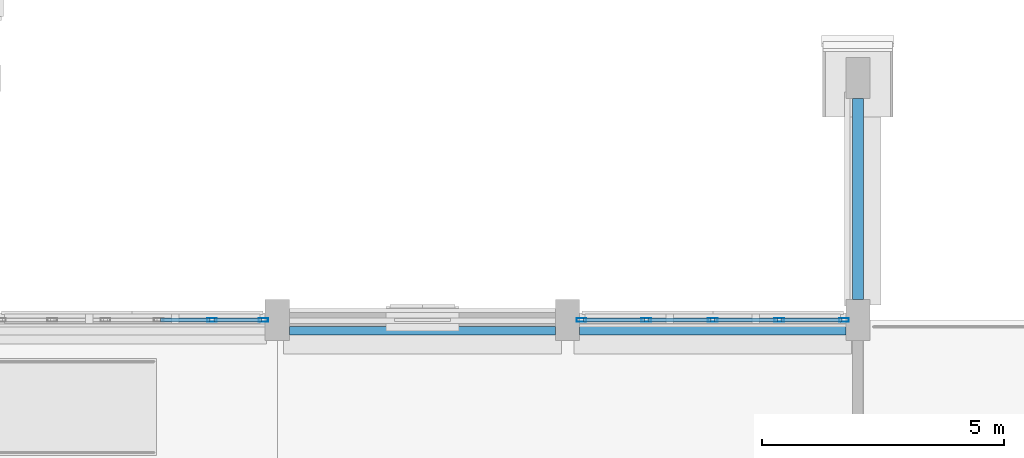
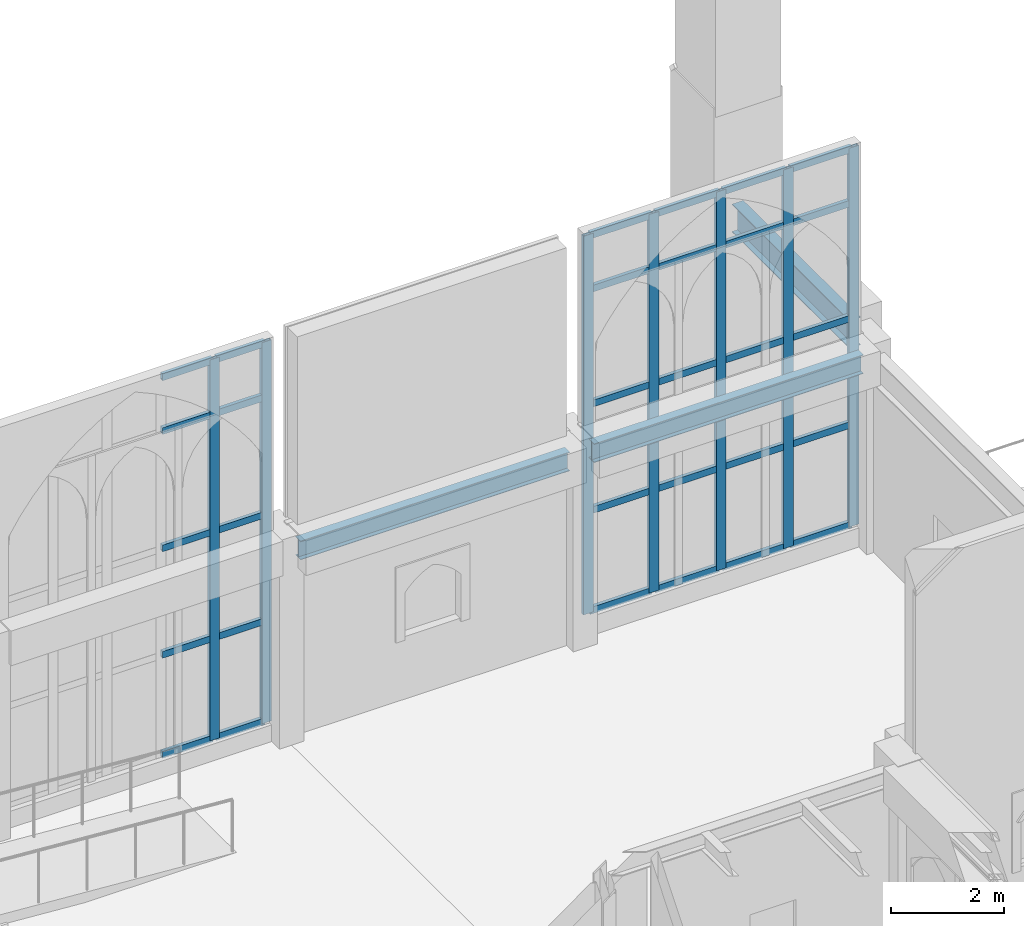
# One storey, part 43 of 108: 37 members, 3 beams, 2 elements without a shape of their own.
"""IFC4 building model written with IfcOpenShell, lengths in metres."""

from ifc_helpers import new_model, si_unit, direction, frame, origin, origin_2d, place, context, subcontext, project, spatial, hollow_rectangle, i_section, extrude, material, layer, layer_set, material_profile, profile_set, type_object, element, aggregate, save


model = new_model("IFC4")

# Units and contexts
model_context = context("Model", 3, precision=1e-05, world=origin(), true_north=direction((0.0, 1.0)))
body_context = subcontext(model_context, "Body", "Model", "MODEL_VIEW")
ifc_project = project(units=[si_unit("LENGTHUNIT", "METRE"), si_unit("AREAUNIT", "SQUARE_METRE"), si_unit("VOLUMEUNIT", "CUBIC_METRE"), si_unit("PLANEANGLEUNIT", "RADIAN"), si_unit("MASSUNIT", "GRAM", prefix="KILO")], contexts=[model_context])

# Site, building, storey
site_placement = place(None, origin())
site = spatial("IfcSite", under=ifc_project, at=site_placement, CompositionType="ELEMENT")
building_placement = place(site_placement, origin())
building = spatial("IfcBuilding", under=site, at=building_placement, Name="Cumevento Cable Car Station", CompositionType="ELEMENT")
storey_placement = place(building_placement, frame((0.0, 0.0, 13.5)))
storey = spatial("IfcBuildingStorey", under=building, at=storey_placement, Name="L04", CompositionType="ELEMENT", Elevation=13.5)

# Curtain wall, members
ifc_material_1 = material(Name="Anodised Bronze Aluminium AW-6063-T6", Category="aluminium")
ifc_layer_1 = layer(ifc_material_1, 0.18408203125)
ifc_layer_set_1 = layer_set([ifc_layer_1], Name="Anodised Bronze Aluminium AW-6063-T6")
curtain_wall_type_1 = type_object("IfcCurtainWallType", Name="Lancet Curtain Wall CW-05 1210", PredefinedType="NOTDEFINED", material=ifc_layer_set_1)
curtain_wall_1_placement = place(storey_placement, origin())
curtain_wall_1 = element("IfcCurtainWall", 1, at=curtain_wall_1_placement, inside=storey, type_object=curtain_wall_type_1, Name="Lancet Curtain Wall CW-05 L04 #164", PredefinedType="NOTDEFINED")
ifc_material_2 = material(Name="Anodised Bronze Aluminium AW-6063-T6", Category="aluminium")
ifc_material_profile_1 = material_profile(ifc_material_2, hollow_rectangle(XDim=0.074951171875, YDim=0.199951171875, WallThickness=0.0048828125, at=origin_2d()), Name="ALUM75x200x5")
ifc_profile_set_1 = profile_set([ifc_material_profile_1], Name="Anodised Bronze Aluminium AW-6063-T6")
member_type_1 = type_object("IfcMemberType", Name="Curtain Mullion CWM-02 ALUM75x200x5", PredefinedType="MULLION", material=ifc_profile_set_1)
member_1_placement = place(storey_placement, frame((74.64990234375, 56.5, 0.360107421875), z_axis=(0.0, 0.0, 1.0), x_axis=(0.0, 1.0, 0.0)))
member_1 = element("IfcMember", 2, at=member_1_placement, type_object=member_type_1, Name="CW-05 mullion 5", PredefinedType="MULLION", context=body_context, shape_type="SweptSolid", body=[
    extrude(hollow_rectangle(XDim=0.074951171875, YDim=0.199951171875, WallThickness=0.0048828125, at=origin_2d()), origin(), (0.0, 0.0, 1.0), 8.23291015625),
])
member_2_placement = place(storey_placement, frame((75.71240234375, 56.5, 0.360107421875), z_axis=(0.0, 0.0, 1.0), x_axis=(0.0, 1.0, 0.0)))
member_2 = element("IfcMember", 3, at=member_2_placement, type_object=member_type_1, Name="CW-05 mullion 6", PredefinedType="MULLION", context=body_context, shape_type="SweptSolid", body=[
    extrude(hollow_rectangle(XDim=0.074951171875, YDim=0.199951171875, WallThickness=0.0048828125, at=origin_2d()), origin(), (0.0, 0.0, 1.0), 8.23291015625),
])

ifc_material_3 = material(Name="Anodised Bronze Aluminium AW-6063-T6", Category="aluminium")
ifc_layer_2 = layer(ifc_material_3, 0.18994140625)
ifc_layer_set_2 = layer_set([ifc_layer_2], Name="Anodised Bronze Aluminium AW-6063-T6")
curtain_wall_type_2 = type_object("IfcCurtainWallType", Name="Lancet Curtain Wall CW-06 1250", PredefinedType="NOTDEFINED", material=ifc_layer_set_2)
curtain_wall_2_placement = place(storey_placement, origin())
curtain_wall_2 = element("IfcCurtainWall", 4, at=curtain_wall_2_placement, inside=storey, type_object=curtain_wall_type_2, Name="Lancet Curtain Wall CW-06 L04 #165", PredefinedType="NOTDEFINED")
member_3_placement = place(storey_placement, frame((82.28759765625, 56.5, 0.409912109375), z_axis=(0.0, 0.0, 1.0), x_axis=(0.0, 1.0, 0.0)))
member_3 = element("IfcMember", 5, at=member_3_placement, type_object=member_type_1, Name="CW-06 mullion 1", PredefinedType="MULLION", context=body_context, shape_type="SweptSolid", body=[
    extrude(hollow_rectangle(XDim=0.074951171875, YDim=0.199951171875, WallThickness=0.0048828125, at=origin_2d()), origin(), (0.0, 0.0, 1.0), 8.18310546875),
])
member_4_placement = place(storey_placement, frame((83.625, 56.5, 0.409912109375), z_axis=(0.0, 0.0, 1.0), x_axis=(0.0, 1.0, 0.0)))
member_4 = element("IfcMember", 6, at=member_4_placement, type_object=member_type_1, Name="CW-06 mullion 2", PredefinedType="MULLION", context=body_context, shape_type="SweptSolid", body=[
    extrude(hollow_rectangle(XDim=0.074951171875, YDim=0.199951171875, WallThickness=0.0048828125, at=origin_2d()), origin(), (0.0, 0.0, 1.0), 8.18310546875),
])
member_5_placement = place(storey_placement, frame((85.0, 56.5, 0.409912109375), z_axis=(0.0, 0.0, 1.0), x_axis=(0.0, 1.0, 0.0)))
member_5 = element("IfcMember", 7, at=member_5_placement, type_object=member_type_1, Name="CW-06 mullion 3", PredefinedType="MULLION", context=body_context, shape_type="SweptSolid", body=[
    extrude(hollow_rectangle(XDim=0.074951171875, YDim=0.199951171875, WallThickness=0.0048828125, at=origin_2d()), origin(), (0.0, 0.0, 1.0), 8.18310546875),
])
member_6_placement = place(storey_placement, frame((86.375, 56.5, 0.409912109375), z_axis=(0.0, 0.0, 1.0), x_axis=(0.0, 1.0, 0.0)))
member_6 = element("IfcMember", 8, at=member_6_placement, type_object=member_type_1, Name="CW-06 mullion 4", PredefinedType="MULLION", context=body_context, shape_type="SweptSolid", body=[
    extrude(hollow_rectangle(XDim=0.074951171875, YDim=0.199951171875, WallThickness=0.0048828125, at=origin_2d()), origin(), (0.0, 0.0, 1.0), 8.18310546875),
])
member_7_placement = place(storey_placement, frame((87.71240234375, 56.5, 0.409912109375), z_axis=(0.0, 0.0, 1.0), x_axis=(0.0, 1.0, 0.0)))
member_7 = element("IfcMember", 9, at=member_7_placement, type_object=member_type_1, Name="CW-06 mullion 5", PredefinedType="MULLION", context=body_context, shape_type="SweptSolid", body=[
    extrude(hollow_rectangle(XDim=0.074951171875, YDim=0.199951171875, WallThickness=0.0048828125, at=origin_2d()), origin(), (0.0, 0.0, 1.0), 8.18310546875),
])

# Member
ifc_material_4 = material(Name="Anodised Bronze Aluminium AW-6063-T6", Category="aluminium")
ifc_material_profile_2 = material_profile(ifc_material_4, hollow_rectangle(XDim=0.074951171875, YDim=0.14501953125, WallThickness=0.00439453125, at=origin_2d()), Name="ALUT75x145x4.5")
ifc_profile_set_2 = profile_set([ifc_material_profile_2], Name="Anodised Bronze Aluminium AW-6063-T6")
member_type_2 = type_object("IfcMemberType", Name="Curtain Transom CWT-02 ALUT75x145x4.5", PredefinedType="USERDEFINED", material=ifc_profile_set_2)
member_8_placement = place(storey_placement, frame((73.58740234375, 56.5, 0.3974609375), z_axis=(1.0, 0.0, 0.0), x_axis=(0.0, 1.0, 0.0)))
member_8 = element("IfcMember", 10, at=member_8_placement, type_object=member_type_2, Name="CW-05 transom 4.1", ObjectType="TRANSOM", PredefinedType="USERDEFINED", context=body_context, shape_type="SweptSolid", body=[
    extrude(hollow_rectangle(XDim=0.074951171875, YDim=0.14501953125, WallThickness=0.00439453125, at=origin_2d()), origin(), (0.0, 0.0, 1.0), 1.025146484375),
])

member_9_placement = place(storey_placement, frame((73.58740234375, 56.5, 2.56005859375), z_axis=(1.0, 0.0, 0.0), x_axis=(0.0, 1.0, 0.0)))
member_9 = element("IfcMember", 11, at=member_9_placement, type_object=member_type_2, Name="CW-05 transom 4.2", ObjectType="TRANSOM", PredefinedType="USERDEFINED", context=body_context, shape_type="SweptSolid", body=[
    extrude(hollow_rectangle(XDim=0.074951171875, YDim=0.14501953125, WallThickness=0.00439453125, at=origin_2d()), origin(), (0.0, 0.0, 1.0), 1.025146484375),
])

member_10_placement = place(storey_placement, frame((73.58740234375, 56.5, 4.860107421875), z_axis=(1.0, 0.0, 0.0), x_axis=(0.0, 1.0, 0.0)))
member_10 = element("IfcMember", 12, at=member_10_placement, type_object=member_type_2, Name="CW-05 transom 4.3", ObjectType="TRANSOM", PredefinedType="USERDEFINED", context=body_context, shape_type="SweptSolid", body=[
    extrude(hollow_rectangle(XDim=0.074951171875, YDim=0.14501953125, WallThickness=0.00439453125, at=origin_2d()), origin(), (0.0, 0.0, 1.0), 1.025146484375),
])

member_11_placement = place(storey_placement, frame((73.58740234375, 56.5, 7.39306640625), z_axis=(1.0, 0.0, 0.0), x_axis=(0.0, 1.0, 0.0)))
member_11 = element("IfcMember", 13, at=member_11_placement, type_object=member_type_2, Name="CW-05 transom 4.4", ObjectType="TRANSOM", PredefinedType="USERDEFINED", context=body_context, shape_type="SweptSolid", body=[
    extrude(hollow_rectangle(XDim=0.074951171875, YDim=0.14501953125, WallThickness=0.00439453125, at=origin_2d()), origin(), (0.0, 0.0, 1.0), 1.025146484375),
])

member_12_placement = place(storey_placement, frame((73.58740234375, 56.5, 8.555419921875), z_axis=(1.0, 0.0, 0.0), x_axis=(0.0, 1.0, 0.0)))
member_12 = element("IfcMember", 14, at=member_12_placement, type_object=member_type_2, Name="CW-05 transom 4.5", ObjectType="TRANSOM", PredefinedType="USERDEFINED", context=body_context, shape_type="SweptSolid", body=[
    extrude(hollow_rectangle(XDim=0.074951171875, YDim=0.14501953125, WallThickness=0.00439453125, at=origin_2d()), origin(), (0.0, 0.0, 1.0), 1.025146484375),
])

member_13_placement = place(storey_placement, frame((74.6875, 56.5, 0.3974609375), z_axis=(1.0, 0.0, 0.0), x_axis=(0.0, 1.0, 0.0)))
member_13 = element("IfcMember", 15, at=member_13_placement, type_object=member_type_2, Name="CW-05 transom 5.1", ObjectType="TRANSOM", PredefinedType="USERDEFINED", context=body_context, shape_type="SweptSolid", body=[
    extrude(hollow_rectangle(XDim=0.074951171875, YDim=0.14501953125, WallThickness=0.00439453125, at=origin_2d()), origin(), (0.0, 0.0, 1.0), 0.987548828125),
])

member_14_placement = place(storey_placement, frame((74.6875, 56.5, 2.56005859375), z_axis=(1.0, 0.0, 0.0), x_axis=(0.0, 1.0, 0.0)))
member_14 = element("IfcMember", 16, at=member_14_placement, type_object=member_type_2, Name="CW-05 transom 5.2", ObjectType="TRANSOM", PredefinedType="USERDEFINED", context=body_context, shape_type="SweptSolid", body=[
    extrude(hollow_rectangle(XDim=0.074951171875, YDim=0.14501953125, WallThickness=0.00439453125, at=origin_2d()), origin(), (0.0, 0.0, 1.0), 0.987548828125),
])

member_15_placement = place(storey_placement, frame((74.6875, 56.5, 4.860107421875), z_axis=(1.0, 0.0, 0.0), x_axis=(0.0, 1.0, 0.0)))
member_15 = element("IfcMember", 17, at=member_15_placement, type_object=member_type_2, Name="CW-05 transom 5.3", ObjectType="TRANSOM", PredefinedType="USERDEFINED", context=body_context, shape_type="SweptSolid", body=[
    extrude(hollow_rectangle(XDim=0.074951171875, YDim=0.14501953125, WallThickness=0.00439453125, at=origin_2d()), origin(), (0.0, 0.0, 1.0), 0.987548828125),
])

member_16_placement = place(storey_placement, frame((74.6875, 56.5, 7.39306640625), z_axis=(1.0, 0.0, 0.0), x_axis=(0.0, 1.0, 0.0)))
member_16 = element("IfcMember", 18, at=member_16_placement, type_object=member_type_2, Name="CW-05 transom 5.4", ObjectType="TRANSOM", PredefinedType="USERDEFINED", context=body_context, shape_type="SweptSolid", body=[
    extrude(hollow_rectangle(XDim=0.074951171875, YDim=0.14501953125, WallThickness=0.00439453125, at=origin_2d()), origin(), (0.0, 0.0, 1.0), 0.987548828125),
])

member_17_placement = place(storey_placement, frame((74.6875, 56.5, 8.555419921875), z_axis=(1.0, 0.0, 0.0), x_axis=(0.0, 1.0, 0.0)))
member_17 = element("IfcMember", 19, at=member_17_placement, type_object=member_type_2, Name="CW-05 transom 5.5", ObjectType="TRANSOM", PredefinedType="USERDEFINED", context=body_context, shape_type="SweptSolid", body=[
    extrude(hollow_rectangle(XDim=0.074951171875, YDim=0.14501953125, WallThickness=0.00439453125, at=origin_2d()), origin(), (0.0, 0.0, 1.0), 0.987548828125),
])

aggregate(curtain_wall_1, [member_1, member_2, member_8, member_9, member_10, member_11, member_12, member_13, member_14, member_15, member_16, member_17])

member_18_placement = place(storey_placement, frame((82.324951171875, 56.5, 0.447509765625), z_axis=(1.0, 0.0, 0.0), x_axis=(0.0, 1.0, 0.0)))
member_18 = element("IfcMember", 20, at=member_18_placement, type_object=member_type_2, Name="CW-06 transom 1.1", ObjectType="TRANSOM", PredefinedType="USERDEFINED", context=body_context, shape_type="SweptSolid", body=[
    extrude(hollow_rectangle(XDim=0.074951171875, YDim=0.14501953125, WallThickness=0.00439453125, at=origin_2d()), origin(), (0.0, 0.0, 1.0), 1.262451171875),
])

member_19_placement = place(storey_placement, frame((82.324951171875, 56.5, 2.610107421875), z_axis=(1.0, 0.0, 0.0), x_axis=(0.0, 1.0, 0.0)))
member_19 = element("IfcMember", 21, at=member_19_placement, type_object=member_type_2, Name="CW-06 transom 1.2", ObjectType="TRANSOM", PredefinedType="USERDEFINED", context=body_context, shape_type="SweptSolid", body=[
    extrude(hollow_rectangle(XDim=0.074951171875, YDim=0.14501953125, WallThickness=0.00439453125, at=origin_2d()), origin(), (0.0, 0.0, 1.0), 1.262451171875),
])

member_20_placement = place(storey_placement, frame((82.324951171875, 56.5, 4.909912109375), z_axis=(1.0, 0.0, 0.0), x_axis=(0.0, 1.0, 0.0)))
member_20 = element("IfcMember", 22, at=member_20_placement, type_object=member_type_2, Name="CW-06 transom 1.3", ObjectType="TRANSOM", PredefinedType="USERDEFINED", context=body_context, shape_type="SweptSolid", body=[
    extrude(hollow_rectangle(XDim=0.074951171875, YDim=0.14501953125, WallThickness=0.00439453125, at=origin_2d()), origin(), (0.0, 0.0, 1.0), 1.262451171875),
])

member_21_placement = place(storey_placement, frame((82.324951171875, 56.5, 7.39306640625), z_axis=(1.0, 0.0, 0.0), x_axis=(0.0, 1.0, 0.0)))
member_21 = element("IfcMember", 23, at=member_21_placement, type_object=member_type_2, Name="CW-06 transom 1.4", ObjectType="TRANSOM", PredefinedType="USERDEFINED", context=body_context, shape_type="SweptSolid", body=[
    extrude(hollow_rectangle(XDim=0.074951171875, YDim=0.14501953125, WallThickness=0.00439453125, at=origin_2d()), origin(), (0.0, 0.0, 1.0), 1.262451171875),
])

member_22_placement = place(storey_placement, frame((82.324951171875, 56.5, 8.555419921875), z_axis=(1.0, 0.0, 0.0), x_axis=(0.0, 1.0, 0.0)))
member_22 = element("IfcMember", 24, at=member_22_placement, type_object=member_type_2, Name="CW-06 transom 1.5", ObjectType="TRANSOM", PredefinedType="USERDEFINED", context=body_context, shape_type="SweptSolid", body=[
    extrude(hollow_rectangle(XDim=0.074951171875, YDim=0.14501953125, WallThickness=0.00439453125, at=origin_2d()), origin(), (0.0, 0.0, 1.0), 1.262451171875),
])

member_23_placement = place(storey_placement, frame((83.66259765625, 56.5, 0.447509765625), z_axis=(1.0, 0.0, 0.0), x_axis=(0.0, 1.0, 0.0)))
member_23 = element("IfcMember", 25, at=member_23_placement, type_object=member_type_2, Name="CW-06 transom 2.1", ObjectType="TRANSOM", PredefinedType="USERDEFINED", context=body_context, shape_type="SweptSolid", body=[
    extrude(hollow_rectangle(XDim=0.074951171875, YDim=0.14501953125, WallThickness=0.00439453125, at=origin_2d()), origin(), (0.0, 0.0, 1.0), 1.2998046875),
])

member_24_placement = place(storey_placement, frame((83.66259765625, 56.5, 2.610107421875), z_axis=(1.0, 0.0, 0.0), x_axis=(0.0, 1.0, 0.0)))
member_24 = element("IfcMember", 26, at=member_24_placement, type_object=member_type_2, Name="CW-06 transom 2.2", ObjectType="TRANSOM", PredefinedType="USERDEFINED", context=body_context, shape_type="SweptSolid", body=[
    extrude(hollow_rectangle(XDim=0.074951171875, YDim=0.14501953125, WallThickness=0.00439453125, at=origin_2d()), origin(), (0.0, 0.0, 1.0), 1.2998046875),
])

member_25_placement = place(storey_placement, frame((83.66259765625, 56.5, 4.909912109375), z_axis=(1.0, 0.0, 0.0), x_axis=(0.0, 1.0, 0.0)))
member_25 = element("IfcMember", 27, at=member_25_placement, type_object=member_type_2, Name="CW-06 transom 2.3", ObjectType="TRANSOM", PredefinedType="USERDEFINED", context=body_context, shape_type="SweptSolid", body=[
    extrude(hollow_rectangle(XDim=0.074951171875, YDim=0.14501953125, WallThickness=0.00439453125, at=origin_2d()), origin(), (0.0, 0.0, 1.0), 1.2998046875),
])

member_26_placement = place(storey_placement, frame((83.66259765625, 56.5, 7.39306640625), z_axis=(1.0, 0.0, 0.0), x_axis=(0.0, 1.0, 0.0)))
member_26 = element("IfcMember", 28, at=member_26_placement, type_object=member_type_2, Name="CW-06 transom 2.4", ObjectType="TRANSOM", PredefinedType="USERDEFINED", context=body_context, shape_type="SweptSolid", body=[
    extrude(hollow_rectangle(XDim=0.074951171875, YDim=0.14501953125, WallThickness=0.00439453125, at=origin_2d()), origin(), (0.0, 0.0, 1.0), 1.2998046875),
])

member_27_placement = place(storey_placement, frame((83.66259765625, 56.5, 8.555419921875), z_axis=(1.0, 0.0, 0.0), x_axis=(0.0, 1.0, 0.0)))
member_27 = element("IfcMember", 29, at=member_27_placement, type_object=member_type_2, Name="CW-06 transom 2.5", ObjectType="TRANSOM", PredefinedType="USERDEFINED", context=body_context, shape_type="SweptSolid", body=[
    extrude(hollow_rectangle(XDim=0.074951171875, YDim=0.14501953125, WallThickness=0.00439453125, at=origin_2d()), origin(), (0.0, 0.0, 1.0), 1.2998046875),
])

member_28_placement = place(storey_placement, frame((85.03759765625, 56.5, 0.447509765625), z_axis=(1.0, 0.0, 0.0), x_axis=(0.0, 1.0, 0.0)))
member_28 = element("IfcMember", 30, at=member_28_placement, type_object=member_type_2, Name="CW-06 transom 3.1", ObjectType="TRANSOM", PredefinedType="USERDEFINED", context=body_context, shape_type="SweptSolid", body=[
    extrude(hollow_rectangle(XDim=0.074951171875, YDim=0.14501953125, WallThickness=0.00439453125, at=origin_2d()), origin(), (0.0, 0.0, 1.0), 1.2998046875),
])

member_29_placement = place(storey_placement, frame((85.03759765625, 56.5, 2.610107421875), z_axis=(1.0, 0.0, 0.0), x_axis=(0.0, 1.0, 0.0)))
member_29 = element("IfcMember", 31, at=member_29_placement, type_object=member_type_2, Name="CW-06 transom 3.2", ObjectType="TRANSOM", PredefinedType="USERDEFINED", context=body_context, shape_type="SweptSolid", body=[
    extrude(hollow_rectangle(XDim=0.074951171875, YDim=0.14501953125, WallThickness=0.00439453125, at=origin_2d()), origin(), (0.0, 0.0, 1.0), 1.2998046875),
])

member_30_placement = place(storey_placement, frame((85.03759765625, 56.5, 4.909912109375), z_axis=(1.0, 0.0, 0.0), x_axis=(0.0, 1.0, 0.0)))
member_30 = element("IfcMember", 32, at=member_30_placement, type_object=member_type_2, Name="CW-06 transom 3.3", ObjectType="TRANSOM", PredefinedType="USERDEFINED", context=body_context, shape_type="SweptSolid", body=[
    extrude(hollow_rectangle(XDim=0.074951171875, YDim=0.14501953125, WallThickness=0.00439453125, at=origin_2d()), origin(), (0.0, 0.0, 1.0), 1.2998046875),
])

member_31_placement = place(storey_placement, frame((85.03759765625, 56.5, 7.39306640625), z_axis=(1.0, 0.0, 0.0), x_axis=(0.0, 1.0, 0.0)))
member_31 = element("IfcMember", 33, at=member_31_placement, type_object=member_type_2, Name="CW-06 transom 3.4", ObjectType="TRANSOM", PredefinedType="USERDEFINED", context=body_context, shape_type="SweptSolid", body=[
    extrude(hollow_rectangle(XDim=0.074951171875, YDim=0.14501953125, WallThickness=0.00439453125, at=origin_2d()), origin(), (0.0, 0.0, 1.0), 1.2998046875),
])

member_32_placement = place(storey_placement, frame((85.03759765625, 56.5, 8.555419921875), z_axis=(1.0, 0.0, 0.0), x_axis=(0.0, 1.0, 0.0)))
member_32 = element("IfcMember", 34, at=member_32_placement, type_object=member_type_2, Name="CW-06 transom 3.5", ObjectType="TRANSOM", PredefinedType="USERDEFINED", context=body_context, shape_type="SweptSolid", body=[
    extrude(hollow_rectangle(XDim=0.074951171875, YDim=0.14501953125, WallThickness=0.00439453125, at=origin_2d()), origin(), (0.0, 0.0, 1.0), 1.2998046875),
])

member_33_placement = place(storey_placement, frame((86.41259765625, 56.5, 0.447509765625), z_axis=(1.0, 0.0, 0.0), x_axis=(0.0, 1.0, 0.0)))
member_33 = element("IfcMember", 35, at=member_33_placement, type_object=member_type_2, Name="CW-06 transom 4.1", ObjectType="TRANSOM", PredefinedType="USERDEFINED", context=body_context, shape_type="SweptSolid", body=[
    extrude(hollow_rectangle(XDim=0.074951171875, YDim=0.14501953125, WallThickness=0.00439453125, at=origin_2d()), origin(), (0.0, 0.0, 1.0), 1.262451171875),
])

member_34_placement = place(storey_placement, frame((86.41259765625, 56.5, 2.610107421875), z_axis=(1.0, 0.0, 0.0), x_axis=(0.0, 1.0, 0.0)))
member_34 = element("IfcMember", 36, at=member_34_placement, type_object=member_type_2, Name="CW-06 transom 4.2", ObjectType="TRANSOM", PredefinedType="USERDEFINED", context=body_context, shape_type="SweptSolid", body=[
    extrude(hollow_rectangle(XDim=0.074951171875, YDim=0.14501953125, WallThickness=0.00439453125, at=origin_2d()), origin(), (0.0, 0.0, 1.0), 1.262451171875),
])

member_35_placement = place(storey_placement, frame((86.41259765625, 56.5, 4.909912109375), z_axis=(1.0, 0.0, 0.0), x_axis=(0.0, 1.0, 0.0)))
member_35 = element("IfcMember", 37, at=member_35_placement, type_object=member_type_2, Name="CW-06 transom 4.3", ObjectType="TRANSOM", PredefinedType="USERDEFINED", context=body_context, shape_type="SweptSolid", body=[
    extrude(hollow_rectangle(XDim=0.074951171875, YDim=0.14501953125, WallThickness=0.00439453125, at=origin_2d()), origin(), (0.0, 0.0, 1.0), 1.262451171875),
])

member_36_placement = place(storey_placement, frame((86.41259765625, 56.5, 7.39306640625), z_axis=(1.0, 0.0, 0.0), x_axis=(0.0, 1.0, 0.0)))
member_36 = element("IfcMember", 38, at=member_36_placement, type_object=member_type_2, Name="CW-06 transom 4.4", ObjectType="TRANSOM", PredefinedType="USERDEFINED", context=body_context, shape_type="SweptSolid", body=[
    extrude(hollow_rectangle(XDim=0.074951171875, YDim=0.14501953125, WallThickness=0.00439453125, at=origin_2d()), origin(), (0.0, 0.0, 1.0), 1.262451171875),
])

member_37_placement = place(storey_placement, frame((86.41259765625, 56.5, 8.555419921875), z_axis=(1.0, 0.0, 0.0), x_axis=(0.0, 1.0, 0.0)))
member_37 = element("IfcMember", 39, at=member_37_placement, type_object=member_type_2, Name="CW-06 transom 4.5", ObjectType="TRANSOM", PredefinedType="USERDEFINED", context=body_context, shape_type="SweptSolid", body=[
    extrude(hollow_rectangle(XDim=0.074951171875, YDim=0.14501953125, WallThickness=0.00439453125, at=origin_2d()), origin(), (0.0, 0.0, 1.0), 1.262451171875),
])

aggregate(curtain_wall_2, [member_3, member_4, member_5, member_6, member_7, member_18, member_19, member_20, member_21, member_22, member_23, member_24, member_25, member_26, member_27, member_28, member_29, member_30, member_31, member_32, member_33, member_34, member_35, member_36, member_37])

# Beams
ifc_material_5 = material(Name="Steel ASTM A572 Grade 50", Category="steel")
ifc_material_profile_3 = material_profile(ifc_material_5, i_section(OverallWidth=0.22802734375, OverallDepth=0.60791015625, WebThickness=0.01123046875, FlangeThickness=0.017333984375, at=origin_2d()), Name="W610x113.0")
ifc_profile_set_3 = profile_set([ifc_material_profile_3], Name="Steel ASTM A572 Grade 50")
beam_type_1 = type_object("IfcBeamType", Name="Structural Beam BM-02 W610x113.0", PredefinedType="BEAM", material=ifc_profile_set_3)
beam_placement = place(storey_placement, frame((88.0, 56.925048828125, 4.196044921875), z_axis=(0.0, 1.0, 0.0), x_axis=(-1.0, 0.0, 0.0)))
element("IfcBeam", 40, at=beam_placement, inside=storey, type_object=beam_type_1, Name="North Uphill Summit Ropeway Cabin Portal Buttress Tie Girder L04 #85", PredefinedType="BEAM", context=body_context, shape_type="SweptSolid", body=[
    extrude(i_section(OverallWidth=0.22802734375, OverallDepth=0.60791015625, WebThickness=0.01123046875, FlangeThickness=0.017333984375, at=origin_2d()), origin(), (0.0, 0.0, 1.0), 4.14990234375),
])
ifc_material_6 = material(Name="Steel ASTM A572 Grade 50", Category="steel")
ifc_material_profile_4 = material_profile(ifc_material_6, i_section(OverallWidth=0.177978515625, OverallDepth=0.406982421875, WebThickness=0.0078125, FlangeThickness=0.0126953125, at=origin_2d()), Name="W410x60.0")
ifc_profile_set_4 = profile_set([ifc_material_profile_4], Name="Steel ASTM A572 Grade 50")
beam_type_2 = type_object("IfcBeamType", Name="Structural Spandrel SP-01 W410x60.0", PredefinedType="SPANDREL", material=ifc_profile_set_4)
for number, where, z_axis, x_axis, name in (
    (41, (76.25, 56.280029296875, 4.04638671875), (1.0, 0.0, 0.0), (0.0, 1.0, 0.0), "Beam SP-01 L04 #1426"),
    (42, (82.25, 56.280029296875, 4.04638671875), (1.0, 0.0, 0.0), (0.0, 1.0, 0.0), "Beam SP-01 L04 #1427"),
):
    element("IfcBeam", number, at=place(storey_placement, frame(where, z_axis=z_axis, x_axis=x_axis)), inside=storey, type_object=beam_type_2, Name=name, PredefinedType="SPANDREL", context=body_context, shape_type="SweptSolid", body=[
        extrude(i_section(OverallWidth=0.177978515625, OverallDepth=0.406982421875, WebThickness=0.0078125, FlangeThickness=0.0126953125, at=origin_2d()), origin(), (0.0, 0.0, 1.0), 5.5),
    ])

save(model, "model.ifc")
